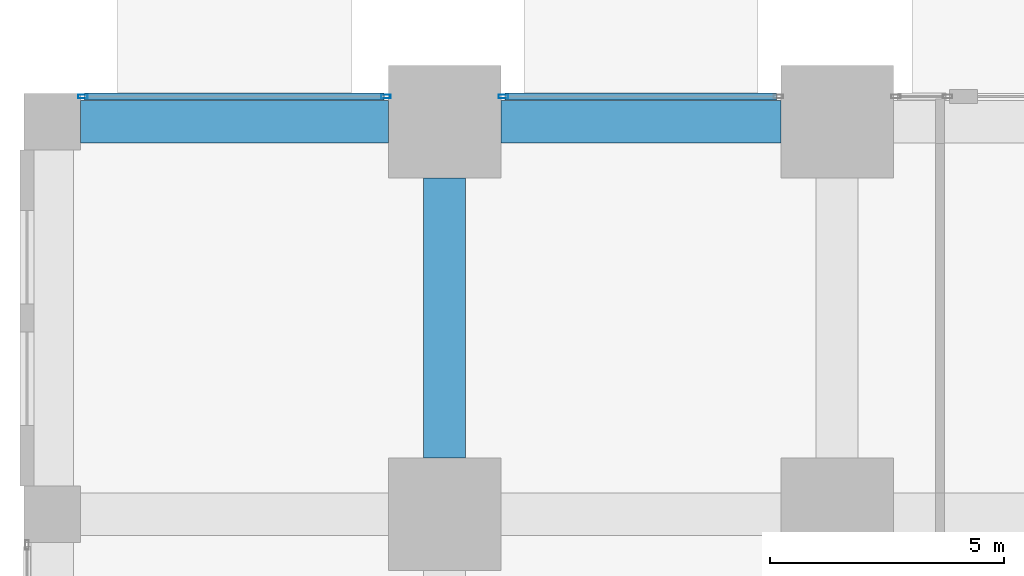
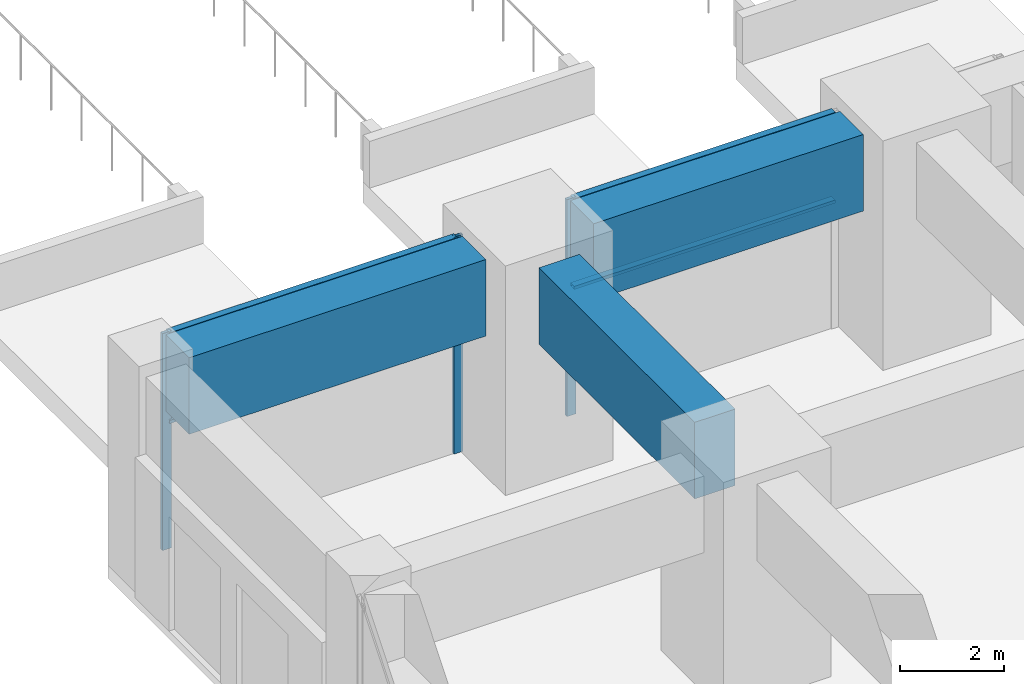
# One storey, part 22 of 81: 7 members, 3 beams, 2 elements without a shape of their own.
"""IFC4 building model written with IfcOpenShell, lengths in metres."""

from ifc_helpers import new_model, si_unit, direction, frame, origin, origin_2d, place, context, subcontext, project, spatial, rectangle, hollow_rectangle, extrude, material, material_profile, profile_set, type_object, element, aggregate, save


model = new_model("IFC4")

# Units and contexts
model_context = context("Model", 3, precision=1e-05, world=origin(), true_north=direction((0.0, 1.0)))
body_context = subcontext(model_context, "Body", "Model", "MODEL_VIEW")
ifc_project = project(units=[si_unit("LENGTHUNIT", "METRE"), si_unit("AREAUNIT", "SQUARE_METRE"), si_unit("VOLUMEUNIT", "CUBIC_METRE"), si_unit("PLANEANGLEUNIT", "RADIAN"), si_unit("MASSUNIT", "GRAM", prefix="KILO")], contexts=[model_context])

# Site, building, storey
site_placement = place(None, origin())
site = spatial("IfcSite", under=ifc_project, at=site_placement, CompositionType="ELEMENT")
building_placement = place(site_placement, origin())
building = spatial("IfcBuilding", under=site, at=building_placement, Name="Rekha Terrace Tower", CompositionType="ELEMENT")
storey_placement = place(building_placement, origin())
storey = spatial("IfcBuildingStorey", under=building, at=storey_placement, Name="L00", CompositionType="ELEMENT", Elevation=0.0)

# Curtain wall, member
ifc_material_1 = material(Name="Aluminium framing", Category="aluminium")
curtain_wall_type = type_object("IfcCurtainWallType", Name="CW4 podium shopfront glazing", PredefinedType="USERDEFINED", material=ifc_material_1)
curtain_wall_1_placement = place(storey_placement, origin())
curtain_wall_1 = element("IfcCurtainWall", 1, at=curtain_wall_1_placement, inside=storey, type_object=curtain_wall_type, Name="CW4 shopfront curtain wall", ObjectType="SHOPFRONT CURTAIN WALL", PredefinedType="USERDEFINED")
ifc_material_2 = material(Name="Aluminium mullion section", Category="aluminium")
ifc_material_profile_1 = material_profile(ifc_material_2, hollow_rectangle(XDim=0.074951171875, YDim=0.199951171875, WallThickness=0.00390625, at=origin_2d()), Name="AL RHS 75x200")
ifc_profile_set_1 = profile_set([ifc_material_profile_1], Name="Aluminium mullion section")
member_type_1 = type_object("IfcMemberType", Name="CW4 mullion RHS 75 x 200", PredefinedType="MULLION", material=ifc_profile_set_1)
member_1_placement = place(storey_placement, frame((9.657470703125, 59.340087890625, 0.0), z_axis=(0.0, 0.0, 1.0), x_axis=(0.0, -1.0, 0.0)))
member_1 = element("IfcMember", 2, at=member_1_placement, type_object=member_type_1, Name="CW4 mullion 2", PredefinedType="MULLION", context=body_context, shape_type="SweptSolid", body=[
    extrude(hollow_rectangle(XDim=0.074951171875, YDim=0.199951171875, WallThickness=0.00390625, at=origin_2d()), origin(), (0.0, 0.0, 1.0), 5.10009765625),
])

# Curtain wall, members
curtain_wall_2_placement = place(storey_placement, origin())
curtain_wall_2 = element("IfcCurtainWall", 3, at=curtain_wall_2_placement, inside=storey, type_object=curtain_wall_type, Name="CW4 shopfront curtain wall", ObjectType="SHOPFRONT CURTAIN WALL", PredefinedType="USERDEFINED")
member_2_placement = place(storey_placement, frame((7.142578125, 59.340087890625, 0.0), z_axis=(0.0, 0.0, 1.0), x_axis=(0.0, -1.0, 0.0)))
member_2 = element("IfcMember", 4, at=member_2_placement, type_object=member_type_1, Name="CW4 mullion 1", PredefinedType="MULLION", context=body_context, shape_type="SweptSolid", body=[
    extrude(hollow_rectangle(XDim=0.074951171875, YDim=0.199951171875, WallThickness=0.00390625, at=origin_2d()), origin(), (0.0, 0.0, 1.0), 5.10009765625),
])
member_3_placement = place(storey_placement, frame((0.657470703125, 59.340087890625, 0.0), z_axis=(0.0, 0.0, 1.0), x_axis=(0.0, -1.0, 0.0)))
member_3 = element("IfcMember", 5, at=member_3_placement, type_object=member_type_1, Name="CW4 mullion 2", PredefinedType="MULLION", context=body_context, shape_type="SweptSolid", body=[
    extrude(hollow_rectangle(XDim=0.074951171875, YDim=0.199951171875, WallThickness=0.00390625, at=origin_2d()), origin(), (0.0, 0.0, 1.0), 5.10009765625),
])

# Member
ifc_material_3 = material(Name="Aluminium transom section", Category="aluminium")
ifc_material_profile_2 = material_profile(ifc_material_3, hollow_rectangle(XDim=0.14990234375, YDim=0.074951171875, WallThickness=0.0029296875, at=origin_2d()), Name="AL RHS 150x75")
ifc_profile_set_2 = profile_set([ifc_material_profile_2], Name="Aluminium transom section")
member_type_2 = type_object("IfcMemberType", Name="CW4 transom RHS 75 x 150", PredefinedType="USERDEFINED", material=ifc_profile_set_2)
member_4_placement = place(storey_placement, frame((15.5048828125, 59.340087890625, 3.0), z_axis=(-1.0, 0.0, 0.0), x_axis=(0.0, -1.0, 0.0)))
member_4 = element("IfcMember", 6, at=member_4_placement, type_object=member_type_2, Name="CW4 transom 1.2", ObjectType="TRANSOM", PredefinedType="USERDEFINED", context=body_context, shape_type="SweptSolid", body=[
    extrude(hollow_rectangle(XDim=0.14990234375, YDim=0.074951171875, WallThickness=0.0029296875, at=origin_2d()), origin(), (0.0, 0.0, 1.0), 5.809814453125),
])

member_5_placement = place(storey_placement, frame((15.5048828125, 59.340087890625, 5.0625), z_axis=(-1.0, 0.0, 0.0), x_axis=(0.0, -1.0, 0.0)))
member_5 = element("IfcMember", 7, at=member_5_placement, type_object=member_type_2, Name="CW4 transom 1.3", ObjectType="TRANSOM", PredefinedType="USERDEFINED", context=body_context, shape_type="SweptSolid", body=[
    extrude(hollow_rectangle(XDim=0.14990234375, YDim=0.074951171875, WallThickness=0.0029296875, at=origin_2d()), origin(), (0.0, 0.0, 1.0), 5.809814453125),
])

aggregate(curtain_wall_1, [member_1, member_4, member_5])

member_6_placement = place(storey_placement, frame((7.10498046875, 59.340087890625, 3.0), z_axis=(-1.0, 0.0, 0.0), x_axis=(0.0, -1.0, 0.0)))
member_6 = element("IfcMember", 8, at=member_6_placement, type_object=member_type_2, Name="CW4 transom 1.2", ObjectType="TRANSOM", PredefinedType="USERDEFINED", context=body_context, shape_type="SweptSolid", body=[
    extrude(hollow_rectangle(XDim=0.14990234375, YDim=0.074951171875, WallThickness=0.0029296875, at=origin_2d()), origin(), (0.0, 0.0, 1.0), 6.409912109375),
])

member_7_placement = place(storey_placement, frame((7.10498046875, 59.340087890625, 5.0625), z_axis=(-1.0, 0.0, 0.0), x_axis=(0.0, -1.0, 0.0)))
member_7 = element("IfcMember", 9, at=member_7_placement, type_object=member_type_2, Name="CW4 transom 1.3", ObjectType="TRANSOM", PredefinedType="USERDEFINED", context=body_context, shape_type="SweptSolid", body=[
    extrude(hollow_rectangle(XDim=0.14990234375, YDim=0.074951171875, WallThickness=0.0029296875, at=origin_2d()), origin(), (0.0, 0.0, 1.0), 6.409912109375),
])

aggregate(curtain_wall_2, [member_2, member_3, member_6, member_7])

# Beams
ifc_material_4 = material(Name="Concrete M60", Category="concrete")
ifc_material_profile_3 = material_profile(ifc_material_4, rectangle(XDim=0.89990234375, YDim=1.800048828125, at=origin_2d()), Name="RC 900x1800")
ifc_profile_set_3 = profile_set([ifc_material_profile_3], Name="Concrete M60")
beam_type = type_object("IfcBeamType", Name="G1 900x1800 podium floor beam", PredefinedType="BEAM", material=ifc_profile_set_3)
beam_placement = place(storey_placement, frame((0.60009765625, 58.800048828125, 4.199951171875), z_axis=(1.0, 0.0, 0.0), x_axis=(0.0, 1.0, 0.0)))
element("IfcBeam", 10, at=beam_placement, inside=storey, type_object=beam_type, Name="Beam G1 1H-2H under L01", PredefinedType="BEAM", context=body_context, shape_type="SweptSolid", body=[
    extrude(rectangle(XDim=0.89990234375, YDim=1.800048828125, at=origin_2d()), origin(), (0.0, 0.0, 1.0), 6.599853515625),
])
for number, where, z_axis, x_axis, name in (
    (11, (8.39990234375, 51.60009765625, 4.199951171875), (0.0, 1.0, 0.0), (-1.0, 0.0, 0.0), "Beam G1 2G-2H under L01"),
    (12, (9.60009765625, 58.800048828125, 4.199951171875), (1.0, 0.0, 0.0), (0.0, 1.0, 0.0), "Beam G1 2H-3H under L01"),
):
    element("IfcBeam", number, at=place(storey_placement, frame(where, z_axis=z_axis, x_axis=x_axis)), inside=storey, type_object=beam_type, Name=name, PredefinedType="BEAM", context=body_context, shape_type="SweptSolid", body=[
        extrude(rectangle(XDim=0.89990234375, YDim=1.800048828125, at=origin_2d()), origin(), (0.0, 0.0, 1.0), 6.0),
    ])

save(model, "model.ifc")
